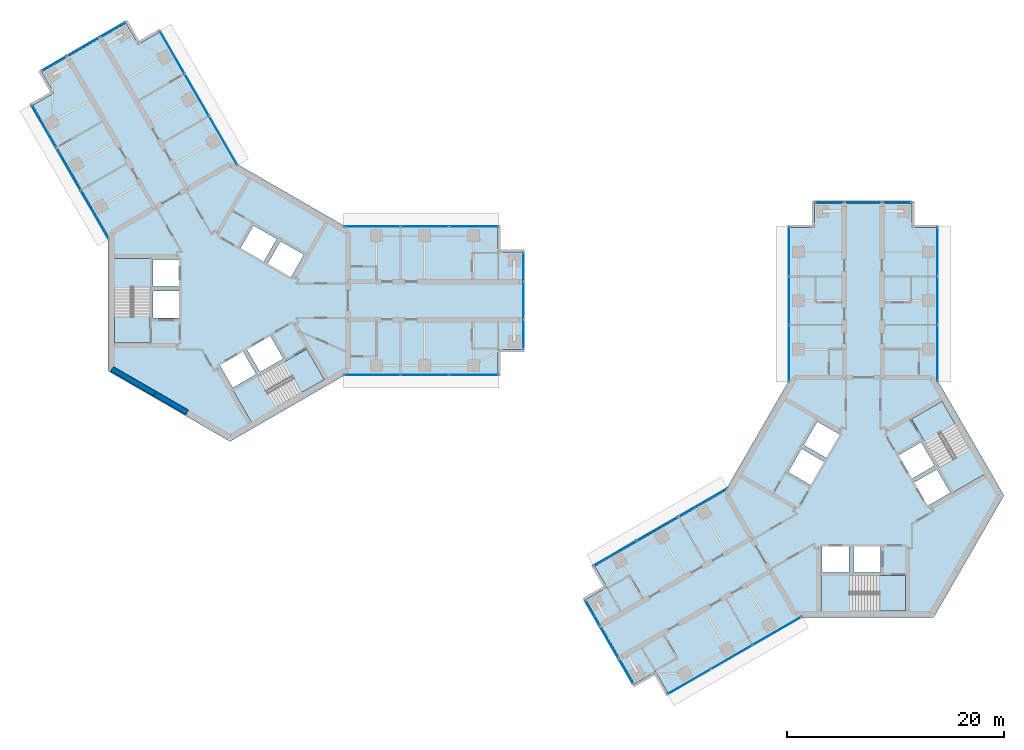
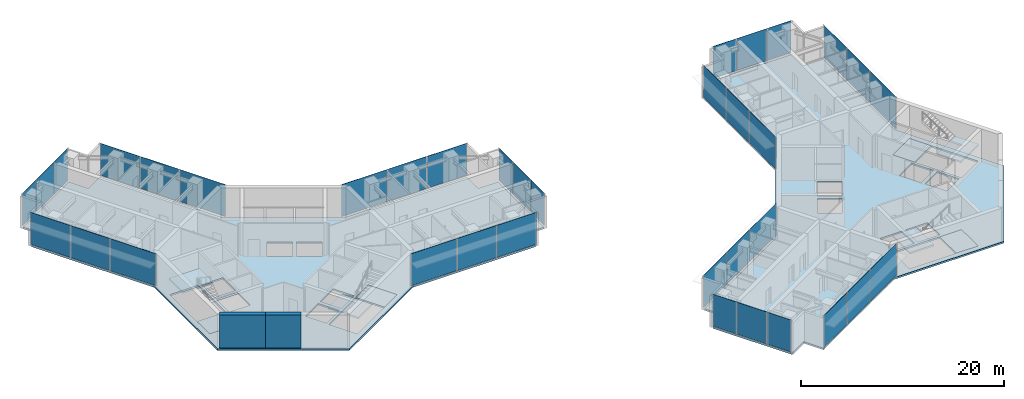
# One storey, part 10 of 17: 36 plates, 10 slabs, 2 walls, 16 elements without a shape of their own.
"""IFC4 building model written with IfcOpenShell, lengths in metres."""

from ifc_helpers import new_model, si_unit, direction, frame, frame_2d, origin, origin_2d, place, context, subcontext, project, spatial, polyline, rectangle, outline, extrude, material, layer, layer_set, type_object, element, aggregate, save


model = new_model("IFC4")

# Units and contexts
model_context = context("Model", 3, precision=1e-05, world=origin(), true_north=direction((0.0, 1.0)))
body_context = subcontext(model_context, "Body", "Model", "MODEL_VIEW")
ifc_project = project(units=[si_unit("LENGTHUNIT", "METRE"), si_unit("AREAUNIT", "SQUARE_METRE"), si_unit("VOLUMEUNIT", "CUBIC_METRE"), si_unit("PLANEANGLEUNIT", "RADIAN"), si_unit("MASSUNIT", "GRAM", prefix="KILO")], contexts=[model_context])

# Site, building, storey
site_placement = place(None, origin())
site = spatial("IfcSite", under=ifc_project, at=site_placement, CompositionType="ELEMENT")
building_placement = place(site_placement, origin())
building = spatial("IfcBuilding", under=site, at=building_placement, Name="Upepo Twin Towers", CompositionType="ELEMENT")
storey_placement = place(building_placement, frame((0.0, 0.0, 198.5)))
storey = spatial("IfcBuildingStorey", under=building, at=storey_placement, Name="L48", CompositionType="ELEMENT", Elevation=198.5)

# Curtain wall, plates
ifc_material_1 = material(Name="Aluminium and fritted glass", Category="aluminium")
curtain_wall_type = type_object("IfcCurtainWallType", Name="Tower curtain wall TW3, fritted glass", PredefinedType="NOTDEFINED", material=ifc_material_1)
curtain_wall_1_placement = place(storey_placement, origin())
curtain_wall_1 = element("IfcCurtainWall", 1, at=curtain_wall_1_placement, inside=storey, type_object=curtain_wall_type, Name="T1 L48 wing A flank L curtain wall", PredefinedType="NOTDEFINED")
ifc_material_2 = material(Name="Ceramic-fritted laminated glass", Category="glass")
ifc_layer_1 = layer(ifc_material_2, 0.031982421875)
ifc_layer_set_1 = layer_set([ifc_layer_1], Name="Fritted glass panel, 55 per cent dot frit, 32 mm double glazed")
plate_type_1 = type_object("IfcPlateType", Name="Fritted glass panel, 55 per cent dot frit, 32 mm double glazed", PredefinedType="CURTAIN_PANEL", material=ifc_layer_set_1)
plate_1_placement = place(storey_placement, frame((13.134765625, 6.85009765625, 0.14990234375), z_axis=(0.0, 0.0, 1.0), x_axis=(1.0, 0.0, 0.0)))
plate_1 = element("IfcPlate", 2, at=plate_1_placement, type_object=plate_type_1, Name="T1 L48 wing A flank L curtain wall panel 1", PredefinedType="CURTAIN_PANEL", context=body_context, shape_type="SweptSolid", body=[
    extrude(rectangle(XDim=5.165283203125, YDim=0.031982421875, at=origin_2d()), origin(), (0.0, 0.0, 1.0), 3.85009765625),
])
plate_2_placement = place(storey_placement, frame((18.0, 6.85009765625, 0.14990234375), z_axis=(0.0, 0.0, 1.0), x_axis=(1.0, 0.0, 0.0)))
plate_2 = element("IfcPlate", 3, at=plate_2_placement, type_object=plate_type_1, Name="T1 L48 wing A flank L curtain wall panel 2", PredefinedType="CURTAIN_PANEL", context=body_context, shape_type="SweptSolid", body=[
    extrude(rectangle(XDim=4.43505859375, YDim=0.031982421875, at=origin_2d()), origin(), (0.0, 0.0, 1.0), 3.85009765625),
])
plate_3_placement = place(storey_placement, frame((22.53369140625, 6.85009765625, 0.14990234375), z_axis=(0.0, 0.0, 1.0), x_axis=(1.0, 0.0, 0.0)))
plate_3 = element("IfcPlate", 4, at=plate_3_placement, type_object=plate_type_1, Name="T1 L48 wing A flank L curtain wall panel 3", PredefinedType="CURTAIN_PANEL", context=body_context, shape_type="SweptSolid", body=[
    extrude(rectangle(XDim=4.50244140625, YDim=0.031982421875, at=origin_2d()), origin(), (0.0, 0.0, 1.0), 3.85009765625),
])
aggregate(curtain_wall_1, [plate_1, plate_2, plate_3])

curtain_wall_2_placement = place(storey_placement, origin())
curtain_wall_2 = element("IfcCurtainWall", 5, at=curtain_wall_2_placement, inside=storey, type_object=curtain_wall_type, Name="T1 L48 wing A flank R curtain wall", PredefinedType="NOTDEFINED")
plate_4_placement = place(storey_placement, frame((22.53369140625, -6.85009765625, 0.14990234375), z_axis=(0.0, 0.0, 1.0), x_axis=(-1.0, 0.0, 0.0)))
plate_4 = element("IfcPlate", 6, at=plate_4_placement, type_object=plate_type_1, Name="T1 L48 wing A flank R curtain wall panel 1", PredefinedType="CURTAIN_PANEL", context=body_context, shape_type="SweptSolid", body=[
    extrude(rectangle(XDim=4.50244140625, YDim=0.031982421875, at=origin_2d()), origin(), (0.0, 0.0, 1.0), 3.85009765625),
])
plate_5_placement = place(storey_placement, frame((18.0, -6.85009765625, 0.14990234375), z_axis=(0.0, 0.0, 1.0), x_axis=(-1.0, 0.0, 0.0)))
plate_5 = element("IfcPlate", 7, at=plate_5_placement, type_object=plate_type_1, Name="T1 L48 wing A flank R curtain wall panel 2", PredefinedType="CURTAIN_PANEL", context=body_context, shape_type="SweptSolid", body=[
    extrude(rectangle(XDim=4.43505859375, YDim=0.031982421875, at=origin_2d()), origin(), (0.0, 0.0, 1.0), 3.85009765625),
])
plate_6_placement = place(storey_placement, frame((13.134765625, -6.85009765625, 0.14990234375), z_axis=(0.0, 0.0, 1.0), x_axis=(-1.0, 0.0, 0.0)))
plate_6 = element("IfcPlate", 8, at=plate_6_placement, type_object=plate_type_1, Name="T1 L48 wing A flank R curtain wall panel 3", PredefinedType="CURTAIN_PANEL", context=body_context, shape_type="SweptSolid", body=[
    extrude(rectangle(XDim=5.165283203125, YDim=0.031982421875, at=origin_2d()), origin(), (0.0, 0.0, 1.0), 3.85009765625),
])
aggregate(curtain_wall_2, [plate_4, plate_5, plate_6])

# Curtain wall, plate
curtain_wall_3_placement = place(storey_placement, origin())
curtain_wall_3 = element("IfcCurtainWall", 9, at=curtain_wall_3_placement, inside=storey, type_object=curtain_wall_type, Name="T1 L48 wing A nose curtain wall", PredefinedType="NOTDEFINED")
plate_7_placement = place(storey_placement, frame((27.10009765625, 0.0, 0.14990234375), z_axis=(0.0, 0.0, 1.0), x_axis=(0.0, 1.0, 0.0)))
plate_7 = element("IfcPlate", 10, at=plate_7_placement, type_object=plate_type_1, Name="T1 L48 wing A nose curtain wall panel 2", PredefinedType="CURTAIN_PANEL", context=body_context, shape_type="SweptSolid", body=[
    extrude(rectangle(XDim=3.43505859375, YDim=0.031982421875, at=origin_2d()), origin(), (0.0, 0.0, 1.0), 3.85009765625),
])

# Curtain wall, plates
curtain_wall_4_placement = place(storey_placement, origin())
curtain_wall_4 = element("IfcCurtainWall", 11, at=curtain_wall_4_placement, inside=storey, type_object=curtain_wall_type, Name="T1 L48 wing B flank L curtain wall", PredefinedType="NOTDEFINED")
plate_8_placement = place(storey_placement, frame((-12.499755859375, 7.9501953125, 0.14990234375), z_axis=(0.0, 0.0, 1.0), x_axis=(-0.500000026527, 0.866025388469, 0.0)))
plate_8 = element("IfcPlate", 12, at=plate_8_placement, type_object=plate_type_1, Name="T1 L48 wing B flank L curtain wall panel 1", PredefinedType="CURTAIN_PANEL", context=body_context, shape_type="SweptSolid", body=[
    extrude(rectangle(XDim=5.165283203125, YDim=0.031982421875, at=origin_2d()), origin(), (0.0, 0.0, 1.0), 3.85009765625),
])
plate_9_placement = place(storey_placement, frame((-14.932373046875, 12.16357421875, 0.14990234375), z_axis=(0.0, 0.0, 1.0), x_axis=(-0.500000026527, 0.866025388469, 0.0)))
plate_9 = element("IfcPlate", 13, at=plate_9_placement, type_object=plate_type_1, Name="T1 L48 wing B flank L curtain wall panel 2", PredefinedType="CURTAIN_PANEL", context=body_context, shape_type="SweptSolid", body=[
    extrude(rectangle(XDim=4.43505859375, YDim=0.031982421875, at=origin_2d()), origin(), (0.0, 0.0, 1.0), 3.85009765625),
])
plate_10_placement = place(storey_placement, frame((-17.19921875, 16.08984375, 0.14990234375), z_axis=(0.0, 0.0, 1.0), x_axis=(-0.500000026527, 0.866025388469, 0.0)))
plate_10 = element("IfcPlate", 14, at=plate_10_placement, type_object=plate_type_1, Name="T1 L48 wing B flank L curtain wall panel 3", PredefinedType="CURTAIN_PANEL", context=body_context, shape_type="SweptSolid", body=[
    extrude(rectangle(XDim=4.50244140625, YDim=0.031982421875, at=origin_2d()), origin(), (0.0, 0.0, 1.0), 3.85009765625),
])
aggregate(curtain_wall_4, [plate_8, plate_9, plate_10])

curtain_wall_5_placement = place(storey_placement, origin())
curtain_wall_5 = element("IfcCurtainWall", 15, at=curtain_wall_5_placement, inside=storey, type_object=curtain_wall_type, Name="T1 L48 wing B flank R curtain wall", PredefinedType="NOTDEFINED")
plate_11_placement = place(storey_placement, frame((-5.334716796875, 22.939697265625, 0.14990234375), z_axis=(0.0, 0.0, 1.0), x_axis=(0.500000026527, -0.866025388469, 0.0)))
plate_11 = element("IfcPlate", 16, at=plate_11_placement, type_object=plate_type_1, Name="T1 L48 wing B flank R curtain wall panel 1", PredefinedType="CURTAIN_PANEL", context=body_context, shape_type="SweptSolid", body=[
    extrude(rectangle(XDim=4.50244140625, YDim=0.031982421875, at=origin_2d()), origin(), (0.0, 0.0, 1.0), 3.85009765625),
])
plate_12_placement = place(storey_placement, frame((-3.067626953125, 19.013427734375, 0.14990234375), z_axis=(0.0, 0.0, 1.0), x_axis=(0.500000026527, -0.866025388469, 0.0)))
plate_12 = element("IfcPlate", 17, at=plate_12_placement, type_object=plate_type_1, Name="T1 L48 wing B flank R curtain wall panel 2", PredefinedType="CURTAIN_PANEL", context=body_context, shape_type="SweptSolid", body=[
    extrude(rectangle(XDim=4.43505859375, YDim=0.031982421875, at=origin_2d()), origin(), (0.0, 0.0, 1.0), 3.85009765625),
])
plate_13_placement = place(storey_placement, frame((-0.635009765625, 14.800048828125, 0.14990234375), z_axis=(0.0, 0.0, 1.0), x_axis=(0.500000026527, -0.866025388469, 0.0)))
plate_13 = element("IfcPlate", 18, at=plate_13_placement, type_object=plate_type_1, Name="T1 L48 wing B flank R curtain wall panel 3", PredefinedType="CURTAIN_PANEL", context=body_context, shape_type="SweptSolid", body=[
    extrude(rectangle(XDim=5.165283203125, YDim=0.031982421875, at=origin_2d()), origin(), (0.0, 0.0, 1.0), 3.85009765625),
])
aggregate(curtain_wall_5, [plate_11, plate_12, plate_13])

# Curtain wall, plate
curtain_wall_6_placement = place(storey_placement, origin())
curtain_wall_6 = element("IfcCurtainWall", 19, at=curtain_wall_6_placement, inside=storey, type_object=curtain_wall_type, Name="T1 L48 wing B nose curtain wall", PredefinedType="NOTDEFINED")
plate_14_placement = place(storey_placement, frame((-13.550048828125, 23.46923828125, 0.14990234375), z_axis=(0.0, 0.0, 1.0), x_axis=(-0.866025386174, -0.500000030502, 0.0)))
plate_14 = element("IfcPlate", 20, at=plate_14_placement, type_object=plate_type_1, Name="T1 L48 wing B nose curtain wall panel 2", PredefinedType="CURTAIN_PANEL", context=body_context, shape_type="SweptSolid", body=[
    extrude(rectangle(XDim=3.43505859375, YDim=0.031982421875, at=origin_2d()), origin(), (0.0, 0.0, 1.0), 3.85009765625),
])

# Curtain wall, plates
curtain_wall_7_placement = place(storey_placement, origin())
curtain_wall_7 = element("IfcCurtainWall", 21, at=curtain_wall_7_placement, inside=storey, type_object=curtain_wall_type, Name="T2 L48 wing A flank L curtain wall", PredefinedType="NOTDEFINED")
plate_15_placement = place(storey_placement, frame((51.64990234375, -4.865234375, 0.14990234375), z_axis=(0.0, 0.0, 1.0), x_axis=(0.0, 1.0, 0.0)))
plate_15 = element("IfcPlate", 22, at=plate_15_placement, type_object=plate_type_1, Name="T2 L48 wing A flank L curtain wall panel 1", PredefinedType="CURTAIN_PANEL", context=body_context, shape_type="SweptSolid", body=[
    extrude(rectangle(XDim=5.165283203125, YDim=0.031982421875, at=origin_2d()), origin(), (0.0, 0.0, 1.0), 3.85009765625),
])
plate_16_placement = place(storey_placement, frame((51.64990234375, 0.0, 0.14990234375), z_axis=(0.0, 0.0, 1.0), x_axis=(0.0, 1.0, 0.0)))
plate_16 = element("IfcPlate", 23, at=plate_16_placement, type_object=plate_type_1, Name="T2 L48 wing A flank L curtain wall panel 2", PredefinedType="CURTAIN_PANEL", context=body_context, shape_type="SweptSolid", body=[
    extrude(rectangle(XDim=4.43505859375, YDim=0.031982421875, at=origin_2d()), origin(), (0.0, 0.0, 1.0), 3.85009765625),
])
plate_17_placement = place(storey_placement, frame((51.64990234375, 4.53369140625, 0.14990234375), z_axis=(0.0, 0.0, 1.0), x_axis=(0.0, 1.0, 0.0)))
plate_17 = element("IfcPlate", 24, at=plate_17_placement, type_object=plate_type_1, Name="T2 L48 wing A flank L curtain wall panel 3", PredefinedType="CURTAIN_PANEL", context=body_context, shape_type="SweptSolid", body=[
    extrude(rectangle(XDim=4.50244140625, YDim=0.031982421875, at=origin_2d()), origin(), (0.0, 0.0, 1.0), 3.85009765625),
])
aggregate(curtain_wall_7, [plate_15, plate_16, plate_17])

curtain_wall_8_placement = place(storey_placement, origin())
curtain_wall_8 = element("IfcCurtainWall", 25, at=curtain_wall_8_placement, inside=storey, type_object=curtain_wall_type, Name="T2 L48 wing A flank R curtain wall", PredefinedType="NOTDEFINED")
plate_18_placement = place(storey_placement, frame((65.35009765625, 4.53369140625, 0.14990234375), z_axis=(0.0, 0.0, 1.0), x_axis=(0.0, -1.0, 0.0)))
plate_18 = element("IfcPlate", 26, at=plate_18_placement, type_object=plate_type_1, Name="T2 L48 wing A flank R curtain wall panel 1", PredefinedType="CURTAIN_PANEL", context=body_context, shape_type="SweptSolid", body=[
    extrude(rectangle(XDim=4.50244140625, YDim=0.031982421875, at=origin_2d()), origin(), (0.0, 0.0, 1.0), 3.85009765625),
])
plate_19_placement = place(storey_placement, frame((65.35009765625, 0.0, 0.14990234375), z_axis=(0.0, 0.0, 1.0), x_axis=(0.0, -1.0, 0.0)))
plate_19 = element("IfcPlate", 27, at=plate_19_placement, type_object=plate_type_1, Name="T2 L48 wing A flank R curtain wall panel 2", PredefinedType="CURTAIN_PANEL", context=body_context, shape_type="SweptSolid", body=[
    extrude(rectangle(XDim=4.43505859375, YDim=0.031982421875, at=origin_2d()), origin(), (0.0, 0.0, 1.0), 3.85009765625),
])
plate_20_placement = place(storey_placement, frame((65.35009765625, -4.865234375, 0.14990234375), z_axis=(0.0, 0.0, 1.0), x_axis=(0.0, -1.0, 0.0)))
plate_20 = element("IfcPlate", 28, at=plate_20_placement, type_object=plate_type_1, Name="T2 L48 wing A flank R curtain wall panel 3", PredefinedType="CURTAIN_PANEL", context=body_context, shape_type="SweptSolid", body=[
    extrude(rectangle(XDim=5.165283203125, YDim=0.031982421875, at=origin_2d()), origin(), (0.0, 0.0, 1.0), 3.85009765625),
])
aggregate(curtain_wall_8, [plate_18, plate_19, plate_20])

# Curtain wall, plate
curtain_wall_9_placement = place(storey_placement, origin())
curtain_wall_9 = element("IfcCurtainWall", 29, at=curtain_wall_9_placement, inside=storey, type_object=curtain_wall_type, Name="T2 L48 wing A nose curtain wall", PredefinedType="NOTDEFINED")
plate_21_placement = place(storey_placement, frame((58.5, 9.10009765625, 0.14990234375), z_axis=(0.0, 0.0, 1.0), x_axis=(-1.0, 0.0, 0.0)))
plate_21 = element("IfcPlate", 30, at=plate_21_placement, type_object=plate_type_1, Name="T2 L48 wing A nose curtain wall panel 2", PredefinedType="CURTAIN_PANEL", context=body_context, shape_type="SweptSolid", body=[
    extrude(rectangle(XDim=3.43505859375, YDim=0.031982421875, at=origin_2d()), origin(), (0.0, 0.0, 1.0), 3.85009765625),
])

# Curtain wall, plates
curtain_wall_10_placement = place(storey_placement, origin())
curtain_wall_10 = element("IfcCurtainWall", 31, at=curtain_wall_10_placement, inside=storey, type_object=curtain_wall_type, Name="T2 L48 wing B flank L curtain wall", PredefinedType="NOTDEFINED")
plate_22_placement = place(storey_placement, frame((50.5498046875, -30.499755859375, 0.14990234375), z_axis=(0.0, 0.0, 1.0), x_axis=(-0.866025388469, -0.500000026527, 0.0)))
plate_22 = element("IfcPlate", 32, at=plate_22_placement, type_object=plate_type_1, Name="T2 L48 wing B flank L curtain wall panel 1", PredefinedType="CURTAIN_PANEL", context=body_context, shape_type="SweptSolid", body=[
    extrude(rectangle(XDim=5.165283203125, YDim=0.031982421875, at=origin_2d()), origin(), (0.0, 0.0, 1.0), 3.85009765625),
])
plate_23_placement = place(storey_placement, frame((46.33642578125, -32.932373046875, 0.14990234375), z_axis=(0.0, 0.0, 1.0), x_axis=(-0.866025388469, -0.500000026527, 0.0)))
plate_23 = element("IfcPlate", 33, at=plate_23_placement, type_object=plate_type_1, Name="T2 L48 wing B flank L curtain wall panel 2", PredefinedType="CURTAIN_PANEL", context=body_context, shape_type="SweptSolid", body=[
    extrude(rectangle(XDim=4.43505859375, YDim=0.031982421875, at=origin_2d()), origin(), (0.0, 0.0, 1.0), 3.85009765625),
])
plate_24_placement = place(storey_placement, frame((42.41015625, -35.19921875, 0.14990234375), z_axis=(0.0, 0.0, 1.0), x_axis=(-0.866025388469, -0.500000026527, 0.0)))
plate_24 = element("IfcPlate", 34, at=plate_24_placement, type_object=plate_type_1, Name="T2 L48 wing B flank L curtain wall panel 3", PredefinedType="CURTAIN_PANEL", context=body_context, shape_type="SweptSolid", body=[
    extrude(rectangle(XDim=4.50244140625, YDim=0.031982421875, at=origin_2d()), origin(), (0.0, 0.0, 1.0), 3.85009765625),
])
aggregate(curtain_wall_10, [plate_22, plate_23, plate_24])

curtain_wall_11_placement = place(storey_placement, origin())
curtain_wall_11 = element("IfcCurtainWall", 35, at=curtain_wall_11_placement, inside=storey, type_object=curtain_wall_type, Name="T2 L48 wing B flank R curtain wall", PredefinedType="NOTDEFINED")
plate_25_placement = place(storey_placement, frame((35.560302734375, -23.334716796875, 0.14990234375), z_axis=(0.0, 0.0, 1.0), x_axis=(0.866025388469, 0.500000026527, 0.0)))
plate_25 = element("IfcPlate", 36, at=plate_25_placement, type_object=plate_type_1, Name="T2 L48 wing B flank R curtain wall panel 1", PredefinedType="CURTAIN_PANEL", context=body_context, shape_type="SweptSolid", body=[
    extrude(rectangle(XDim=4.50244140625, YDim=0.031982421875, at=origin_2d()), origin(), (0.0, 0.0, 1.0), 3.85009765625),
])
plate_26_placement = place(storey_placement, frame((39.486572265625, -21.067626953125, 0.14990234375), z_axis=(0.0, 0.0, 1.0), x_axis=(0.866025388469, 0.500000026527, 0.0)))
plate_26 = element("IfcPlate", 37, at=plate_26_placement, type_object=plate_type_1, Name="T2 L48 wing B flank R curtain wall panel 2", PredefinedType="CURTAIN_PANEL", context=body_context, shape_type="SweptSolid", body=[
    extrude(rectangle(XDim=4.43505859375, YDim=0.031982421875, at=origin_2d()), origin(), (0.0, 0.0, 1.0), 3.85009765625),
])
plate_27_placement = place(storey_placement, frame((43.699951171875, -18.635009765625, 0.14990234375), z_axis=(0.0, 0.0, 1.0), x_axis=(0.866025388469, 0.500000026527, 0.0)))
plate_27 = element("IfcPlate", 38, at=plate_27_placement, type_object=plate_type_1, Name="T2 L48 wing B flank R curtain wall panel 3", PredefinedType="CURTAIN_PANEL", context=body_context, shape_type="SweptSolid", body=[
    extrude(rectangle(XDim=5.165283203125, YDim=0.031982421875, at=origin_2d()), origin(), (0.0, 0.0, 1.0), 3.85009765625),
])
aggregate(curtain_wall_11, [plate_25, plate_26, plate_27])

# Curtain wall, plate
curtain_wall_12_placement = place(storey_placement, origin())
curtain_wall_12 = element("IfcCurtainWall", 39, at=curtain_wall_12_placement, inside=storey, type_object=curtain_wall_type, Name="T2 L48 wing B nose curtain wall", PredefinedType="NOTDEFINED")
plate_28_placement = place(storey_placement, frame((35.03076171875, -31.550048828125, 0.14990234375), z_axis=(0.0, 0.0, 1.0), x_axis=(0.500000030502, -0.866025386174, 0.0)))
plate_28 = element("IfcPlate", 40, at=plate_28_placement, type_object=plate_type_1, Name="T2 L48 wing B nose curtain wall panel 2", PredefinedType="CURTAIN_PANEL", context=body_context, shape_type="SweptSolid", body=[
    extrude(rectangle(XDim=3.43505859375, YDim=0.031982421875, at=origin_2d()), origin(), (0.0, 0.0, 1.0), 3.85009765625),
])

# Plate
ifc_material_3 = material(Name="Clear laminated glass in opening sash", Category="glass")
ifc_layer_2 = layer(ifc_material_3, 0.031982421875)
ifc_layer_set_2 = layer_set([ifc_layer_2], Name="Operable glass panel, 32 mm double glazed")
plate_type_2 = type_object("IfcPlateType", Name="Operable glass panel, 32 mm double glazed", PredefinedType="CURTAIN_PANEL", material=ifc_layer_set_2)
plate_29_placement = place(storey_placement, frame((27.10009765625, -3.108642578125, 0.14990234375), z_axis=(0.0, 0.0, 1.0), x_axis=(0.0, 1.0, 0.0)))
plate_29 = element("IfcPlate", 41, at=plate_29_placement, type_object=plate_type_2, Name="T1 L48 wing A nose curtain wall panel 1", PredefinedType="CURTAIN_PANEL", context=body_context, shape_type="SweptSolid", body=[
    extrude(rectangle(XDim=2.652587890625, YDim=0.031982421875, at=origin_2d()), origin(), (0.0, 0.0, 1.0), 3.85009765625),
])

plate_30_placement = place(storey_placement, frame((27.10009765625, 3.108642578125, 0.14990234375), z_axis=(0.0, 0.0, 1.0), x_axis=(0.0, 1.0, 0.0)))
plate_30 = element("IfcPlate", 42, at=plate_30_placement, type_object=plate_type_2, Name="T1 L48 wing A nose curtain wall panel 3", PredefinedType="CURTAIN_PANEL", context=body_context, shape_type="SweptSolid", body=[
    extrude(rectangle(XDim=2.652587890625, YDim=0.031982421875, at=origin_2d()), origin(), (0.0, 0.0, 1.0), 3.85009765625),
])

aggregate(curtain_wall_3, [plate_29, plate_7, plate_30])

plate_31_placement = place(storey_placement, frame((-10.857666015625, 25.023681640625, 0.14990234375), z_axis=(0.0, 0.0, 1.0), x_axis=(-0.866025386174, -0.500000030502, 0.0)))
plate_31 = element("IfcPlate", 43, at=plate_31_placement, type_object=plate_type_2, Name="T1 L48 wing B nose curtain wall panel 1", PredefinedType="CURTAIN_PANEL", context=body_context, shape_type="SweptSolid", body=[
    extrude(rectangle(XDim=2.652587890625, YDim=0.031982421875, at=origin_2d()), origin(), (0.0, 0.0, 1.0), 3.85009765625),
])

plate_32_placement = place(storey_placement, frame((-16.2421875, 21.914794921875, 0.14990234375), z_axis=(0.0, 0.0, 1.0), x_axis=(-0.866025386174, -0.500000030502, 0.0)))
plate_32 = element("IfcPlate", 44, at=plate_32_placement, type_object=plate_type_2, Name="T1 L48 wing B nose curtain wall panel 3", PredefinedType="CURTAIN_PANEL", context=body_context, shape_type="SweptSolid", body=[
    extrude(rectangle(XDim=2.652587890625, YDim=0.031982421875, at=origin_2d()), origin(), (0.0, 0.0, 1.0), 3.85009765625),
])

aggregate(curtain_wall_6, [plate_31, plate_14, plate_32])

plate_33_placement = place(storey_placement, frame((61.608642578125, 9.10009765625, 0.14990234375), z_axis=(0.0, 0.0, 1.0), x_axis=(-1.0, 0.0, 0.0)))
plate_33 = element("IfcPlate", 45, at=plate_33_placement, type_object=plate_type_2, Name="T2 L48 wing A nose curtain wall panel 1", PredefinedType="CURTAIN_PANEL", context=body_context, shape_type="SweptSolid", body=[
    extrude(rectangle(XDim=2.652587890625, YDim=0.031982421875, at=origin_2d()), origin(), (0.0, 0.0, 1.0), 3.85009765625),
])

plate_34_placement = place(storey_placement, frame((55.391357421875, 9.10009765625, 0.14990234375), z_axis=(0.0, 0.0, 1.0), x_axis=(-1.0, 0.0, 0.0)))
plate_34 = element("IfcPlate", 46, at=plate_34_placement, type_object=plate_type_2, Name="T2 L48 wing A nose curtain wall panel 3", PredefinedType="CURTAIN_PANEL", context=body_context, shape_type="SweptSolid", body=[
    extrude(rectangle(XDim=2.652587890625, YDim=0.031982421875, at=origin_2d()), origin(), (0.0, 0.0, 1.0), 3.85009765625),
])

aggregate(curtain_wall_9, [plate_33, plate_21, plate_34])

plate_35_placement = place(storey_placement, frame((33.476318359375, -28.857666015625, 0.14990234375), z_axis=(0.0, 0.0, 1.0), x_axis=(0.500000030502, -0.866025386174, 0.0)))
plate_35 = element("IfcPlate", 47, at=plate_35_placement, type_object=plate_type_2, Name="T2 L48 wing B nose curtain wall panel 1", PredefinedType="CURTAIN_PANEL", context=body_context, shape_type="SweptSolid", body=[
    extrude(rectangle(XDim=2.652587890625, YDim=0.031982421875, at=origin_2d()), origin(), (0.0, 0.0, 1.0), 3.85009765625),
])

plate_36_placement = place(storey_placement, frame((36.585205078125, -34.2421875, 0.14990234375), z_axis=(0.0, 0.0, 1.0), x_axis=(0.500000030502, -0.866025386174, 0.0)))
plate_36 = element("IfcPlate", 48, at=plate_36_placement, type_object=plate_type_2, Name="T2 L48 wing B nose curtain wall panel 3", PredefinedType="CURTAIN_PANEL", context=body_context, shape_type="SweptSolid", body=[
    extrude(rectangle(XDim=2.652587890625, YDim=0.031982421875, at=origin_2d()), origin(), (0.0, 0.0, 1.0), 3.85009765625),
])

aggregate(curtain_wall_12, [plate_35, plate_28, plate_36])

# Stair, slabs
ifc_material_4 = material(Name="Concrete C40/50", Category="concrete")
stair_type = type_object("IfcStairType", Name="Core stair, two flights", PredefinedType="HALF_TURN_STAIR", material=ifc_material_4)
stair_1_placement = place(storey_placement, origin())
stair_1 = element("IfcStair", 49, at=stair_1_placement, inside=storey, type_object=stair_type, Name="T1 stair S1 L48", PredefinedType="HALF_TURN_STAIR")
ifc_material_5 = material(Name="Concrete C40/50", Category="concrete")
ifc_layer_3 = layer(ifc_material_5, 0.199951171875)
ifc_layer_set_3 = layer_set([ifc_layer_3], Name="Concrete C40/50")
slab_type_1 = type_object("IfcSlabType", Name="Stair landing 200 RC", PredefinedType="LANDING", material=ifc_layer_set_3)
slab_1_placement = place(storey_placement, frame((0.0, 0.0, -0.199951171875)))
slab_1 = element("IfcSlab", 50, at=slab_1_placement, type_object=slab_type_1, Name="Stair S1 landing 1", PredefinedType="LANDING", context=body_context, shape_type="SweptSolid", body=[
    extrude(outline(polyline([(-7.39990234375, -1.419921875), (-10.658447265625, -1.419921875), (-10.658447265625, -3.89990234375), (-7.39990234375, -3.89990234375), (-7.39990234375, -1.419921875)])), origin(), (0.0, 0.0, 1.0), 0.199951171875),
])
slab_2_placement = place(storey_placement, frame((0.0, 0.0, 1.800048828125)))
slab_2 = element("IfcSlab", 51, at=slab_2_placement, type_object=slab_type_1, Name="Stair S1 landing 2", PredefinedType="LANDING", context=body_context, shape_type="SweptSolid", body=[
    extrude(outline(polyline([(-7.300048828125, 3.89990234375), (-10.75830078125, 3.89990234375), (-10.75830078125, 1.179931640625), (-7.300048828125, 1.179931640625), (-7.300048828125, 3.89990234375)])), origin(), (0.0, 0.0, 1.0), 0.199951171875),
])
aggregate(stair_1, [slab_1, slab_2])

stair_2_placement = place(storey_placement, origin())
stair_2 = element("IfcStair", 52, at=stair_2_placement, inside=storey, type_object=stair_type, Name="T1 stair S2 L48", PredefinedType="HALF_TURN_STAIR")
slab_3_placement = place(storey_placement, frame((0.0, 0.0, -0.199951171875)))
slab_3 = element("IfcSlab", 53, at=slab_3_placement, type_object=slab_type_1, Name="Stair S2 landing 1", PredefinedType="LANDING", context=body_context, shape_type="SweptSolid", body=[
    extrude(outline(polyline([(4.9296875, -5.698486328125), (6.558837890625, -8.520263671875), (8.70654296875, -7.2802734375), (7.077392578125, -4.45849609375), (4.9296875, -5.698486328125)])), origin(), (0.0, 0.0, 1.0), 0.199951171875),
])
slab_4_placement = place(storey_placement, frame((0.0, 0.0, 1.800048828125)))
slab_4 = element("IfcSlab", 54, at=slab_4_placement, type_object=slab_type_1, Name="Stair S2 landing 2", PredefinedType="LANDING", context=body_context, shape_type="SweptSolid", body=[
    extrude(outline(polyline([(0.2724609375, -8.27197265625), (2.001708984375, -11.26708984375), (4.357177734375, -9.906982421875), (2.628173828125, -6.911865234375), (0.2724609375, -8.27197265625)])), origin(), (0.0, 0.0, 1.0), 0.199951171875),
])
aggregate(stair_2, [slab_3, slab_4])

stair_3_placement = place(storey_placement, origin())
stair_3 = element("IfcStair", 55, at=stair_3_placement, inside=storey, type_object=stair_type, Name="T2 stair S1 L48", PredefinedType="HALF_TURN_STAIR")
slab_5_placement = place(storey_placement, frame((0.0, 0.0, -0.199951171875)))
slab_5 = element("IfcSlab", 56, at=slab_5_placement, type_object=slab_type_1, Name="Stair S1 landing 1", PredefinedType="LANDING", context=body_context, shape_type="SweptSolid", body=[
    extrude(outline(polyline([(59.919921875, -25.39990234375), (59.919921875, -28.658447265625), (62.39990234375, -28.658447265625), (62.39990234375, -25.39990234375), (59.919921875, -25.39990234375)])), origin(), (0.0, 0.0, 1.0), 0.199951171875),
])
slab_6_placement = place(storey_placement, frame((0.0, 0.0, 1.800048828125)))
slab_6 = element("IfcSlab", 57, at=slab_6_placement, type_object=slab_type_1, Name="Stair S1 landing 2", PredefinedType="LANDING", context=body_context, shape_type="SweptSolid", body=[
    extrude(outline(polyline([(54.60009765625, -25.300048828125), (54.60009765625, -28.75830078125), (57.320068359375, -28.75830078125), (57.320068359375, -25.300048828125), (54.60009765625, -25.300048828125)])), origin(), (0.0, 0.0, 1.0), 0.199951171875),
])
aggregate(stair_3, [slab_5, slab_6])

stair_4_placement = place(storey_placement, origin())
stair_4 = element("IfcStair", 58, at=stair_4_placement, inside=storey, type_object=stair_type, Name="T2 stair S2 L48", PredefinedType="HALF_TURN_STAIR")
slab_7_placement = place(storey_placement, frame((0.0, 0.0, -0.199951171875)))
slab_7 = element("IfcSlab", 59, at=slab_7_placement, type_object=slab_type_1, Name="Stair S2 landing 1", PredefinedType="LANDING", context=body_context, shape_type="SweptSolid", body=[
    extrude(outline(polyline([(64.198486328125, -13.0703125), (67.020263671875, -11.441162109375), (65.7802734375, -9.29345703125), (62.95849609375, -10.922607421875), (64.198486328125, -13.0703125)])), origin(), (0.0, 0.0, 1.0), 0.199951171875),
])
slab_8_placement = place(storey_placement, frame((0.0, 0.0, 1.800048828125)))
slab_8 = element("IfcSlab", 60, at=slab_8_placement, type_object=slab_type_1, Name="Stair S2 landing 2", PredefinedType="LANDING", context=body_context, shape_type="SweptSolid", body=[
    extrude(outline(polyline([(66.77197265625, -17.7275390625), (69.76708984375, -15.998291015625), (68.406982421875, -13.642822265625), (65.411865234375, -15.371826171875), (66.77197265625, -17.7275390625)])), origin(), (0.0, 0.0, 1.0), 0.199951171875),
])
aggregate(stair_4, [slab_7, slab_8])

# Slabs
ifc_material_6 = material(Name="Concrete C40/50", Category="concrete")
ifc_layer_4 = layer(ifc_material_6, 0.199951171875)
ifc_layer_set_4 = layer_set([ifc_layer_4], Name="Concrete C40/50")
slab_type_2 = type_object("IfcSlabType", Name="Tower floor slab 200 RC", PredefinedType="FLOOR", material=ifc_layer_set_4)
slab_9_placement = place(storey_placement, frame((0.0, 0.0, -0.199951171875)))
element("IfcSlab", 61, at=slab_9_placement, inside=storey, type_object=slab_type_2, Name="T1 L48 floor slab", PredefinedType="FLOOR", context=body_context, shape_type="SweptSolid", body=[
    extrude(outline(polyline([(10.825439453125, 6.75), (24.75, 6.75), (24.75, 4.5), (27.0, 4.5), (27.0, -4.5), (24.75, -4.5), (24.75, -6.75), (10.825439453125, -6.75), (0.0, -13.0), (-11.25830078125, -6.5), (-11.25830078125, 6.0), (-18.220703125, 18.05908203125), (-16.272216796875, 19.18408203125), (-17.397216796875, 21.132568359375), (-9.602783203125, 25.632568359375), (-8.477783203125, 23.68408203125), (-6.529296875, 24.80908203125), (0.43310546875, 12.75), (10.825439453125, 6.75)]), holes=[polyline([(5.640869140625, 2.17041015625), (6.8408203125, 4.248779296875), (4.67578125, 5.498779296875), (3.475830078125, 3.42041015625), (5.640869140625, 2.17041015625)]), polyline([(3.12939453125, 3.620361328125), (4.329345703125, 5.69873046875), (2.164306640625, 6.94873046875), (0.96435546875, 4.870361328125), (3.12939453125, 3.620361328125)]), polyline([(-4.699951171875, 3.800048828125), (-7.10009765625, 3.800048828125), (-7.10009765625, 1.300048828125), (-4.699951171875, 1.300048828125), (-4.699951171875, 3.800048828125)]), polyline([(-4.699951171875, 0.89990234375), (-7.10009765625, 0.89990234375), (-7.10009765625, -1.60009765625), (-4.699951171875, -1.60009765625), (-4.699951171875, 0.89990234375)]), polyline([(-7.39990234375, 3.89990234375), (-10.658447265625, 3.89990234375), (-10.658447265625, -3.89990234375), (-7.39990234375, -3.89990234375), (-7.39990234375, 3.89990234375)]), polyline([(-0.94091796875, -5.97021484375), (0.259033203125, -8.048828125), (2.424072265625, -6.798828125), (1.22412109375, -4.72021484375), (-0.94091796875, -5.97021484375)]), polyline([(1.570556640625, -4.520263671875), (2.7705078125, -6.598876953125), (4.935546875, -5.348876953125), (3.735595703125, -3.270263671875), (1.570556640625, -4.520263671875)]), polyline([(0.322509765625, -8.358642578125), (1.95166015625, -11.180419921875), (8.70654296875, -7.2802734375), (7.077392578125, -4.45849609375), (0.322509765625, -8.358642578125)])]), origin(), (0.0, 0.0, 1.0), 0.199951171875),
])
slab_10_placement = place(storey_placement, frame((0.0, 0.0, -0.199951171875)))
element("IfcSlab", 62, at=slab_10_placement, inside=storey, type_object=slab_type_2, Name="T2 L48 floor slab", PredefinedType="FLOOR", context=body_context, shape_type="SweptSolid", body=[
    extrude(outline(polyline([(51.75, -7.174560546875), (51.75, 6.75), (54.0, 6.75), (54.0, 9.0), (63.0, 9.0), (63.0, 6.75), (65.25, 6.75), (65.25, -7.174560546875), (71.5, -18.0), (65.0, -29.25830078125), (52.5, -29.25830078125), (40.44091796875, -36.220703125), (39.31591796875, -34.272216796875), (37.367431640625, -35.397216796875), (32.867431640625, -27.602783203125), (34.81591796875, -26.477783203125), (33.69091796875, -24.529296875), (45.75, -17.56689453125), (51.75, -7.174560546875)]), holes=[polyline([(56.32958984375, -12.359130859375), (54.251220703125, -11.1591796875), (53.001220703125, -13.32421875), (55.07958984375, -14.524169921875), (56.32958984375, -12.359130859375)]), polyline([(54.879638671875, -14.87060546875), (52.80126953125, -13.670654296875), (51.55126953125, -15.835693359375), (53.629638671875, -17.03564453125), (54.879638671875, -14.87060546875)]), polyline([(54.699951171875, -22.699951171875), (54.699951171875, -25.10009765625), (57.199951171875, -25.10009765625), (57.199951171875, -22.699951171875), (54.699951171875, -22.699951171875)]), polyline([(57.60009765625, -22.699951171875), (57.60009765625, -25.10009765625), (60.10009765625, -25.10009765625), (60.10009765625, -22.699951171875), (57.60009765625, -22.699951171875)]), polyline([(54.60009765625, -25.39990234375), (54.60009765625, -28.658447265625), (62.39990234375, -28.658447265625), (62.39990234375, -25.39990234375), (54.60009765625, -25.39990234375)]), polyline([(64.47021484375, -18.94091796875), (66.548828125, -17.740966796875), (65.298828125, -15.575927734375), (63.22021484375, -16.77587890625), (64.47021484375, -18.94091796875)]), polyline([(63.020263671875, -16.429443359375), (65.098876953125, -15.2294921875), (63.848876953125, -13.064453125), (61.770263671875, -14.264404296875), (63.020263671875, -16.429443359375)]), polyline([(66.858642578125, -17.677490234375), (69.680419921875, -16.04833984375), (65.7802734375, -9.29345703125), (62.95849609375, -10.922607421875), (66.858642578125, -17.677490234375)])]), origin(), (0.0, 0.0, 1.0), 0.199951171875),
])

# Walls
ifc_material_7 = material(Name="Concrete C60/75", Category="concrete")
ifc_layer_5 = layer(ifc_material_7, 0.5)
ifc_layer_set_5 = layer_set([ifc_layer_5], Name="Concrete C60/75")
wall_type = type_object("IfcWallType", Name="Core wall 500 RC", PredefinedType="SHEAR", material=ifc_layer_set_5)
wall_1_placement = place(storey_placement, frame((-10.908447265625, -6.2978515625, 0.0), z_axis=(0.0, 0.0, 1.0), x_axis=(0.866034513004, -0.499984222037, 0.0)))
element("IfcWall", 63, at=wall_1_placement, inside=storey, type_object=wall_type, Name="T1 core wall 240 R", PredefinedType="SHEAR", context=body_context, shape_type="SweptSolid", body=[
    extrude(rectangle(XDim=4.548095703125, YDim=0.5, at=frame_2d((2.27392578125, 0.0))), origin(), (0.0, 0.0, 1.0), 4.0),
])
wall_2_placement = place(storey_placement, frame((-6.9697265625, -8.57177734375, 0.0), z_axis=(0.0, 0.0, 1.0), x_axis=(0.866019471182, -0.500010275428, 0.0)))
element("IfcWall", 64, at=wall_2_placement, inside=storey, type_object=wall_type, Name="T1 core wall 240", PredefinedType="SHEAR", context=body_context, shape_type="SweptSolid", body=[
    extrude(rectangle(XDim=3.5, YDim=0.5, at=frame_2d((1.75, 0.0))), origin(), (0.0, 0.0, 1.0), 4.0),
])

save(model, "model.ifc")
